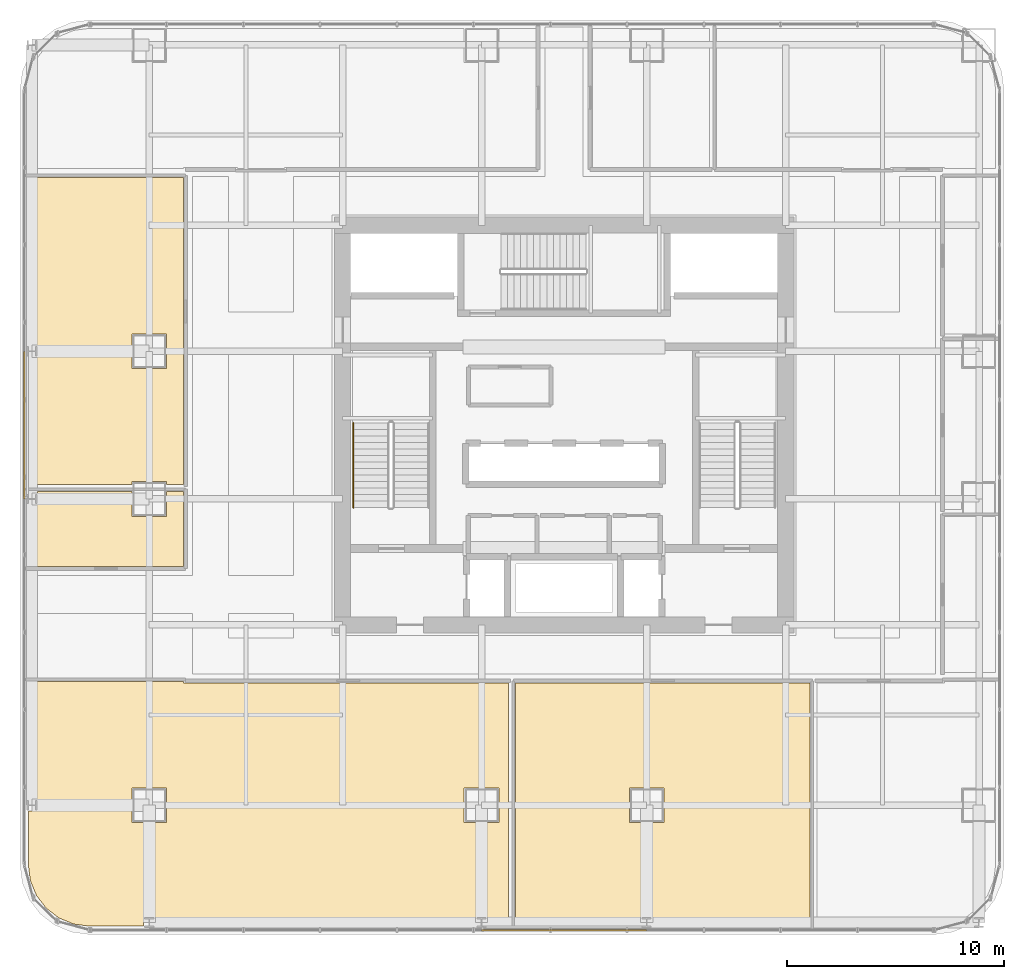
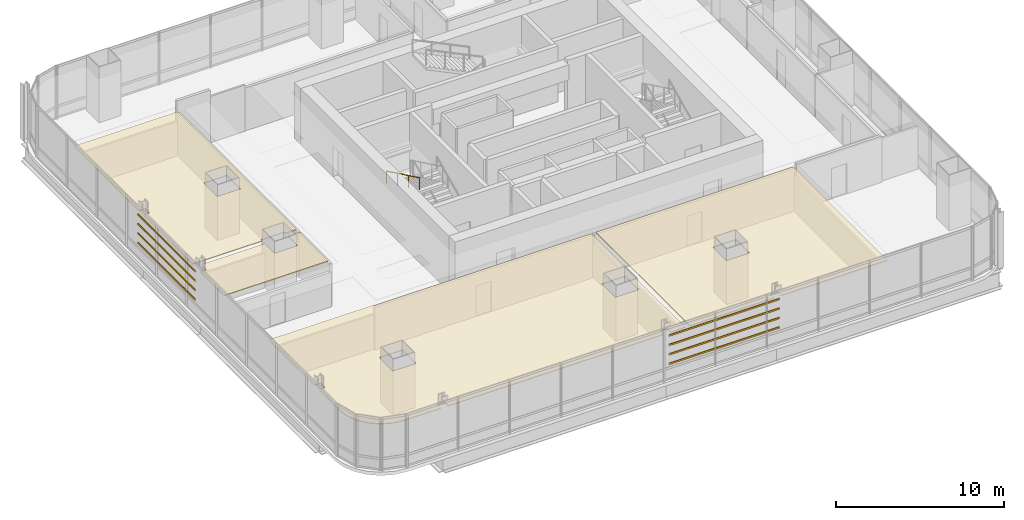
# One storey, part 32 of 36: 8 shading devices, 4 coverings, 1 railing.
"""IFC4 building model written with IfcOpenShell, lengths in metres."""

import ifcopenshell
import ifcopenshell.guid

model = None  # the IFC model being written
_history = None  # IfcOwnerHistory: only IFC2X3 demands one
_inside = {}  # id of a spatial element -> (the spatial element, [elements in it])
_under = {}  # id of a project, library or spatial element -> (it, [spatial elements below it])
_declared = {}  # id of a project -> (the project, [libraries it declares])
_typed = {}  # id of a type object -> (the type object, [elements of that type])
_made_of = {}  # id of a material, layer set ... -> (it, [elements and type objects made of it])


def new_model(schema):
    """Start an empty IFC model of exactly this schema.

    Asked for "IFC4X3", IfcOpenShell would pick the latest addendum, in which some entities
    have other attributes; the version numbers below select the first issue.
    IFC2X3 requires an IfcOwnerHistory on every rooted entity: one is made here for all.
    """
    global model, _history
    if schema == "IFC4X3":
        model = ifcopenshell.file(schema_version=(4, 3, 0, 0))
    else:
        model = ifcopenshell.file(schema=schema)
    _inside.clear()
    _under.clear()
    _declared.clear()
    _typed.clear()
    _made_of.clear()
    _history = None
    if model.schema == "IFC2X3":
        org = make("IfcOrganization", Name="unknown")
        user = make(
            "IfcPersonAndOrganization",
            ThePerson=make("IfcPerson", FamilyName="unknown"),
            TheOrganization=org,
        )
        app = make(
            "IfcApplication",
            ApplicationDeveloper=org,
            Version="unknown",
            ApplicationFullName="unknown",
            ApplicationIdentifier="unknown",
        )
        _history = make(
            "IfcOwnerHistory",
            OwningUser=user,
            OwningApplication=app,
            ChangeAction="ADDED",
            CreationDate=0,
        )
    return model


def make(cls, **values):
    """One entity of the class cls with the attributes given. An attribute that is None is left unset."""
    return model.create_entity(
        cls, **{name: value for name, value in values.items() if value is not None}
    )


def rooted(cls, **values):
    """An entity with a GlobalId (a new one), such as an element, a storey or a relation."""
    return make(cls, GlobalId=ifcopenshell.guid.new(), OwnerHistory=_history, **values)


def si_unit(unit_type, name, prefix=None):
    """IfcSIUnit, for example si_unit("LENGTHUNIT", "METRE", prefix="MILLI")."""
    return make("IfcSIUnit", UnitType=unit_type, Prefix=prefix, Name=name)


def assignment(units):
    """IfcUnitAssignment: the units of a project."""
    return None if units is None else make("IfcUnitAssignment", Units=units)


def point(xyz):
    """IfcCartesianPoint."""
    return None if xyz is None else make("IfcCartesianPoint", Coordinates=xyz)


def direction(xyz):
    """IfcDirection."""
    return None if xyz is None else make("IfcDirection", DirectionRatios=xyz)


def frame(location, z_axis=None, x_axis=None):
    """IfcAxis2Placement3D, a coordinate frame: its origin and axes. An axis left out is left unset."""
    return make(
        "IfcAxis2Placement3D",
        Location=point(location),
        Axis=direction(z_axis),
        RefDirection=direction(x_axis),
    )


def frame_2d(location, x_axis=None):
    """IfcAxis2Placement2D, a coordinate frame in the plane: its origin and x axis."""
    return make(
        "IfcAxis2Placement2D", Location=point(location), RefDirection=direction(x_axis)
    )


def origin():
    """The frame at (0, 0, 0) with its axes left unset."""
    return frame((0.0, 0.0, 0.0))


def origin_2d():
    """The frame at (0, 0) in the plane with its x axis left unset."""
    return frame_2d((0.0, 0.0))


def place(relative_to, where):
    """IfcLocalPlacement: puts the frame where relative to a parent placement (None: the world)."""
    return make(
        "IfcLocalPlacement", PlacementRelTo=relative_to, RelativePlacement=where
    )


def context(
    kind, dimensions, precision=None, world=None, true_north=None, identifier=None
):
    """IfcGeometricRepresentationContext, for example the 3D "Model" context."""
    return make(
        "IfcGeometricRepresentationContext",
        ContextIdentifier=identifier,
        ContextType=kind,
        CoordinateSpaceDimension=dimensions,
        Precision=precision,
        WorldCoordinateSystem=world,
        TrueNorth=true_north,
    )


def subcontext(parent, identifier, kind, view, scale=None):
    """IfcGeometricRepresentationSubContext, for example "Body" below "Model"."""
    return make(
        "IfcGeometricRepresentationSubContext",
        ContextIdentifier=identifier,
        ContextType=kind,
        ParentContext=parent,
        TargetScale=scale,
        TargetView=view,
    )


def project(units=None, contexts=None):
    """IfcProject with its units and contexts."""
    return rooted(
        "IfcProject",
        Name="project",
        RepresentationContexts=contexts,
        UnitsInContext=assignment(units),
    )


def spatial(cls, under=None, at=None, **own):
    """A site, building, storey or space (cls), placed at a placement, below another one or the project."""
    s = rooted(cls, ObjectPlacement=at, **own)
    if under is not None:
        _under.setdefault(under.id(), (under, []))[1].append(s)
    return s


def polyline(points):
    """IfcPolyline through the points."""
    return make("IfcPolyline", Points=[point(p) for p in points])


def profile(cls, at=None, kind="AREA", **sizes):
    """A parametric profile (cls). Its sizes go by their IFC names, for example OverallWidth=200.0."""
    return make(cls, ProfileType=kind, Position=at, **sizes)


def hollow_rectangle(**sizes):
    """IfcRectangleHollowProfileDef."""
    return profile("IfcRectangleHollowProfileDef", **sizes)


def circle(**sizes):
    """IfcCircleProfileDef."""
    return profile("IfcCircleProfileDef", **sizes)


def outline(outer, holes=None, kind="AREA"):
    """IfcArbitraryClosedProfileDef: a profile drawn as a closed curve; with holes, ...WithVoids."""
    if holes is None:
        return make("IfcArbitraryClosedProfileDef", ProfileType=kind, OuterCurve=outer)
    return make(
        "IfcArbitraryProfileDefWithVoids",
        ProfileType=kind,
        OuterCurve=outer,
        InnerCurves=holes,
    )


def extrude(swept, where, along, depth):
    """IfcExtrudedAreaSolid: the profile swept, set in the frame where, extruded along a direction by depth."""
    return make(
        "IfcExtrudedAreaSolid",
        SweptArea=swept,
        Position=where,
        ExtrudedDirection=direction(along),
        Depth=depth,
    )


def shape(context_of_items, identifier, shape_type, items):
    """IfcShapeRepresentation: the items that make up one representation, for example the "Body"."""
    return make(
        "IfcShapeRepresentation",
        ContextOfItems=context_of_items,
        RepresentationIdentifier=identifier,
        RepresentationType=shape_type,
        Items=items,
    )


def material(Name=None, Category=None):
    """IfcMaterial."""
    return make("IfcMaterial", Name=Name, Category=Category)


def layer(
    of_material, thickness, ventilated=None, Name=None, Category=None, Priority=None
):
    """IfcMaterialLayer: one layer of a wall or slab, of a material (None: an air gap)."""
    return make(
        "IfcMaterialLayer",
        Material=of_material,
        LayerThickness=thickness,
        IsVentilated=ventilated,
        Name=Name,
        Category=Category,
        Priority=Priority,
    )


def layer_set(layers, Name=None):
    """IfcMaterialLayerSet."""
    return make("IfcMaterialLayerSet", MaterialLayers=layers, LayerSetName=Name)


def material_profile(
    of_material, cross_section, Name=None, Category=None, Priority=None
):
    """IfcMaterialProfile: a cross section and its material."""
    return make(
        "IfcMaterialProfile",
        Name=Name,
        Material=of_material,
        Profile=cross_section,
        Priority=Priority,
        Category=Category,
    )


def profile_set(profiles, Name=None, composite=None):
    """IfcMaterialProfileSet."""
    return make(
        "IfcMaterialProfileSet",
        Name=Name,
        MaterialProfiles=profiles,
        CompositeProfile=composite,
    )


def made_of(thing, what):
    """Note that an element or type object is made of a material, layer set ...; save() writes the relation."""
    if what is not None:
        _made_of.setdefault(what.id(), (what, []))[1].append(thing)
    return thing


def type_object(cls, material=None, **own):
    """A type object (cls), such as IfcWallType, which elements share."""
    return made_of(rooted(cls, **own), material)


def element(
    cls,
    number,
    at=None,
    inside=None,
    cuts=None,
    type_object=None,
    material=None,
    context=None,
    identifier="Body",
    shape_type=None,
    held_by="IfcProductDefinitionShape",
    body=None,
    shapes=None,
    **own,
):
    """One element of the class cls, such as IfcWall. Its Tag is "e" and its number.

    at: its placement. inside: the storey or other place that contains it. cuts: it is an
    opening in that element (IfcRelVoidsElement). A single representation is given by context,
    identifier, shape_type and body (its items); several are given by shapes. held_by: the class
    of the entity that holds the representations. save() writes the other relations.
    """
    e = rooted(cls, Tag="e%d" % number, ObjectPlacement=at, **own)
    if body is not None:
        shapes = [shape(context, identifier, shape_type, body)]
    if shapes is not None:
        e.Representation = make(held_by, Representations=shapes)
    if inside is not None:
        _inside.setdefault(inside.id(), (inside, []))[1].append(e)
    if cuts is not None:
        rooted(
            "IfcRelVoidsElement", RelatingBuildingElement=cuts, RelatedOpeningElement=e
        )
    if type_object is not None:
        _typed.setdefault(type_object.id(), (type_object, []))[1].append(e)
    return made_of(e, material)


def aggregate(whole, parts):
    """IfcRelAggregates: a whole, such as a stair, and the parts it consists of."""
    return rooted("IfcRelAggregates", RelatingObject=whole, RelatedObjects=parts)


def save(model, path):
    """Write the relations noted so far, then the file.

    IfcRelAggregates (storeys below a building ...), IfcRelContainedInSpatialStructure (elements
    in a storey), IfcRelDefinesByType, IfcRelAssociatesMaterial and IfcRelDeclares: one each for
    every whole, place, type object, material and project.
    """
    for whole, parts in _under.values():
        aggregate(whole, parts)
    for where, things in _inside.values():
        rooted(
            "IfcRelContainedInSpatialStructure",
            RelatedElements=things,
            RelatingStructure=where,
        )
    for kind, things in _typed.values():
        rooted("IfcRelDefinesByType", RelatedObjects=things, RelatingType=kind)
    for what, things in _made_of.values():
        rooted("IfcRelAssociatesMaterial", RelatedObjects=things, RelatingMaterial=what)
    for by, libraries in _declared.values():
        rooted("IfcRelDeclares", RelatingContext=by, RelatedDefinitions=libraries)
    model.write(path)


model = new_model("IFC4")

# Units and contexts
model_context = context("Model", 3, precision=1e-05, world=origin(), true_north=direction((0.0, 1.0)))
body_context = subcontext(model_context, "Body", "Model", "MODEL_VIEW")
ifc_project = project(units=[si_unit("LENGTHUNIT", "METRE"), si_unit("AREAUNIT", "SQUARE_METRE"), si_unit("VOLUMEUNIT", "CUBIC_METRE"), si_unit("PLANEANGLEUNIT", "RADIAN"), si_unit("MASSUNIT", "GRAM", prefix="KILO")], contexts=[model_context])

# Site, building, storey
site_placement = place(None, origin())
site = spatial("IfcSite", under=ifc_project, at=site_placement, CompositionType="ELEMENT")
building_placement = place(site_placement, origin())
building = spatial("IfcBuilding", under=site, at=building_placement, Name="Punatoya Terracotta Tower", CompositionType="ELEMENT")
storey_placement = place(building_placement, frame((0.0, 0.0, 32.25)))
storey = spatial("IfcBuildingStorey", under=building, at=storey_placement, Name="L06", CompositionType="ELEMENT", Elevation=32.25)

# Coverings
ifc_material_1 = material(Name="Acoustic Mineral Fibre Ceiling")
ifc_layer = layer(ifc_material_1, 0.06005859375)
ifc_layer_set = layer_set([ifc_layer], Name="Acoustic Mineral Fibre Ceiling")
covering_type = type_object("IfcCoveringType", Name="COV-CEIL-60", PredefinedType="CEILING", material=ifc_layer_set)
covering_1_placement = place(storey_placement, frame((0.0, 0.0, 3.199951171875)))
element("IfcCovering", 1, at=covering_1_placement, inside=storey, type_object=covering_type, Name="L06 Open Workplace Studio Acoustic Ceiling", PredefinedType="CEILING", context=body_context, shape_type="SweptSolid", body=[
    extrude(outline(polyline([(3.5419921875, -22.626953125), (4.05810546875, -22.626953125), (4.05810546875, -23.070068359375), (11.330078125, -23.070068359375), (11.330078125, -11.8701171875), (-2.239990234375, -11.8701171875), (-2.239990234375, -23.070068359375), (3.5419921875, -23.070068359375), (3.5419921875, -22.626953125)]), holes=[polyline([(4.60009765625, -16.699951171875), (4.60009765625, -18.300048828125), (3.0, -18.300048828125), (3.0, -16.699951171875), (4.60009765625, -16.699951171875)])]), origin(), (0.0, 0.0, 1.0), 0.06005859375),
])
covering_2_placement = place(storey_placement, frame((0.0, 0.0, 3.199951171875)))
element("IfcCovering", 2, at=covering_2_placement, inside=storey, type_object=covering_type, Name="L06 Analytical Practice Office Acoustic Ceiling", PredefinedType="CEILING", context=body_context, shape_type="SweptSolid", body=[
    extrude(outline(polyline([(-18.842041015625, -23.070068359375), (-4.05810546875, -23.070068359375), (-4.05810546875, -22.626953125), (-3.5419921875, -22.626953125), (-3.5419921875, -23.070068359375), (-2.56005859375, -23.070068359375), (-2.56005859375, -11.8701171875), (-17.52001953125, -11.8701171875), (-17.52001953125, -11.81005859375), (-24.669921875, -11.81005859375), (-24.669921875, -17.22705078125), (-24.241943359375, -17.22705078125), (-24.241943359375, -17.77294921875), (-24.669921875, -17.77294921875), (-24.669921875, -20.22509765625), (-24.57080078125, -20.97900390625), (-24.289306640625, -21.658203125), (-23.841796875, -22.24169921875), (-23.25830078125, -22.689453125), (-22.5791015625, -22.970703125), (-21.8251953125, -23.070068359375), (-19.35791015625, -23.070068359375), (-19.35791015625, -22.626953125), (-18.842041015625, -22.626953125), (-18.842041015625, -23.070068359375)]), holes=[polyline([(-4.60009765625, -16.699951171875), (-3.0, -16.699951171875), (-3.0, -18.300048828125), (-4.60009765625, -18.300048828125), (-4.60009765625, -16.699951171875)]), polyline([(-19.89990234375, -18.300048828125), (-19.89990234375, -16.699951171875), (-18.300048828125, -16.699951171875), (-18.300048828125, -18.300048828125), (-19.89990234375, -18.300048828125)])]), origin(), (0.0, 0.0, 1.0), 0.06005859375),
])
covering_3_placement = place(storey_placement, frame((0.0, 0.0, 3.199951171875)))
element("IfcCovering", 3, at=covering_3_placement, inside=storey, type_object=covering_type, Name="L06 Open-Plan Digital Reference Library Acoustic Ceiling", PredefinedType="CEILING", context=body_context, shape_type="SweptSolid", body=[
    extrude(outline(polyline([(-24.241943359375, -3.048095703125), (-24.241943359375, -3.673095703125), (-24.669921875, -3.673095703125), (-24.669921875, -6.5), (-17.52001953125, -6.5), (-17.52001953125, -3.048095703125), (-18.300048828125, -3.048095703125), (-18.300048828125, -4.199951171875), (-19.89990234375, -4.199951171875), (-19.89990234375, -3.048095703125), (-24.241943359375, -3.048095703125)])), origin(), (0.0, 0.0, 1.0), 0.06005859375),
])
covering_4_placement = place(storey_placement, frame((0.0, 0.0, 3.199951171875)))
element("IfcCovering", 4, at=covering_4_placement, inside=storey, type_object=covering_type, Name="L06 Open-Plan Wellness Quiet Room Acoustic Ceiling", PredefinedType="CEILING", context=body_context, shape_type="SweptSolid", body=[
    extrude(outline(polyline([(-17.52001953125, -2.72802734375), (-17.52001953125, 11.389892578125), (-24.669921875, 11.389892578125), (-24.669921875, 3.673095703125), (-24.241943359375, 3.673095703125), (-24.241943359375, 3.126953125), (-24.669921875, 3.126953125), (-24.669921875, -2.72802734375), (-19.89990234375, -2.72802734375), (-19.89990234375, -2.60009765625), (-18.300048828125, -2.60009765625), (-18.300048828125, -2.72802734375), (-17.52001953125, -2.72802734375)]), holes=[polyline([(-18.300048828125, 4.199951171875), (-18.300048828125, 2.60009765625), (-19.89990234375, 2.60009765625), (-19.89990234375, 4.199951171875), (-18.300048828125, 4.199951171875)])]), origin(), (0.0, 0.0, 1.0), 0.06005859375),
])

# Railing
ifc_material_2 = material(Name="Steel S355", Category="steel")
railing_type = type_object("IfcRailingType", Name="RLG-HND-900", PredefinedType="HANDRAIL", material=ifc_material_2)
railing_placement = place(storey_placement, frame((-9.699951171875, 0.10009765625, 2.169677734375)))
element("IfcRailing", 5, at=railing_placement, inside=storey, type_object=railing_type, Name="L06 ST-1 stair handrail 2", PredefinedType="HANDRAIL", context=body_context, shape_type="SweptSolid", body=[
    extrude(circle(Radius=0.02392578125, at=origin_2d()), frame((0.0, 0.0, 0.8759765625), z_axis=(0.0, -0.900773802044, 0.434288564841), x_axis=(1.0, 0.0, 0.0)), (0.0, 0.0, 1.0), 4.329833984375),
    extrude(circle(Radius=0.02099609375, at=origin_2d()), origin(), (0.0, 0.0, 1.0), 0.851806640625),
    extrude(circle(Radius=0.02099609375, at=origin_2d()), frame((0.0, -1.300048828125, 0.626708984375)), (0.0, 0.0, 1.0), 0.851806640625),
    extrude(circle(Radius=0.02099609375, at=origin_2d()), frame((0.0, -2.60009765625, 1.253662109375)), (0.0, 0.0, 1.0), 0.851806640625),
    extrude(circle(Radius=0.02099609375, at=origin_2d()), frame((0.0, -3.900146484375, 1.88037109375)), (0.0, 0.0, 1.0), 0.851806640625),
])

# Shading devices
ifc_material_3 = material(Name="Architectural Fired Terracotta", Category="masonry")
ifc_material_profile = material_profile(ifc_material_3, hollow_rectangle(XDim=0.06494140625, YDim=0.1201171875, WallThickness=0.014892578125, at=origin_2d()))
ifc_profile_set = profile_set([ifc_material_profile], Name="Architectural Fired Terracotta")
shading_device_type = type_object("IfcShadingDeviceType", Name="SHD-BAG-120", PredefinedType="USERDEFINED", material=ifc_profile_set)
for number, where, z_axis, x_axis, name in (
    (6, (-3.800048828125, -23.262939453125, 1.14990234375), (1.0, 0.0, 0.0), (0.0, 1.0, 0.0), "L06 Fired Terracotta Baguette Louvre BAG-L06-S-01"),
    (7, (-3.800048828125, -23.262939453125, 1.836669921875), (1.0, 0.0, 0.0), (0.0, 1.0, 0.0), "L06 Fired Terracotta Baguette Louvre BAG-L06-S-02"),
    (8, (-3.800048828125, -23.262939453125, 2.523193359375), (1.0, 0.0, 0.0), (0.0, 1.0, 0.0), "L06 Fired Terracotta Baguette Louvre BAG-L06-S-03"),
    (9, (-3.800048828125, -23.262939453125, 3.2099609375), (1.0, 0.0, 0.0), (0.0, 1.0, 0.0), "L06 Fired Terracotta Baguette Louvre BAG-L06-S-04"),
):
    element("IfcShadingDevice", number, at=place(storey_placement, frame(where, z_axis=z_axis, x_axis=x_axis)), inside=storey, type_object=shading_device_type, Name=name, ObjectType="BAGUETTE", PredefinedType="USERDEFINED", context=body_context, shape_type="SweptSolid", body=[
        extrude(hollow_rectangle(XDim=0.06494140625, YDim=0.1201171875, WallThickness=0.014892578125, at=origin_2d()), origin(), (0.0, 0.0, 1.0), 7.60009765625),
    ])
for number, where, z_axis, x_axis, name in (
    (10, (-24.863037109375, -3.39990234375, 1.14990234375), (0.0, 1.0, 0.0), (-1.0, 0.0, 0.0), "L06 Fired Terracotta Baguette Louvre BAG-L06-W-01"),
    (11, (-24.863037109375, -3.39990234375, 1.836669921875), (0.0, 1.0, 0.0), (-1.0, 0.0, 0.0), "L06 Fired Terracotta Baguette Louvre BAG-L06-W-02"),
    (12, (-24.863037109375, -3.39990234375, 2.523193359375), (0.0, 1.0, 0.0), (-1.0, 0.0, 0.0), "L06 Fired Terracotta Baguette Louvre BAG-L06-W-03"),
    (13, (-24.863037109375, -3.39990234375, 3.2099609375), (0.0, 1.0, 0.0), (-1.0, 0.0, 0.0), "L06 Fired Terracotta Baguette Louvre BAG-L06-W-04"),
):
    element("IfcShadingDevice", number, at=place(storey_placement, frame(where, z_axis=z_axis, x_axis=x_axis)), inside=storey, type_object=shading_device_type, Name=name, ObjectType="BAGUETTE", PredefinedType="USERDEFINED", context=body_context, shape_type="SweptSolid", body=[
        extrude(hollow_rectangle(XDim=0.06494140625, YDim=0.1201171875, WallThickness=0.014892578125, at=origin_2d()), origin(), (0.0, 0.0, 1.0), 6.7998046875),
    ])

save(model, "model.ifc")
